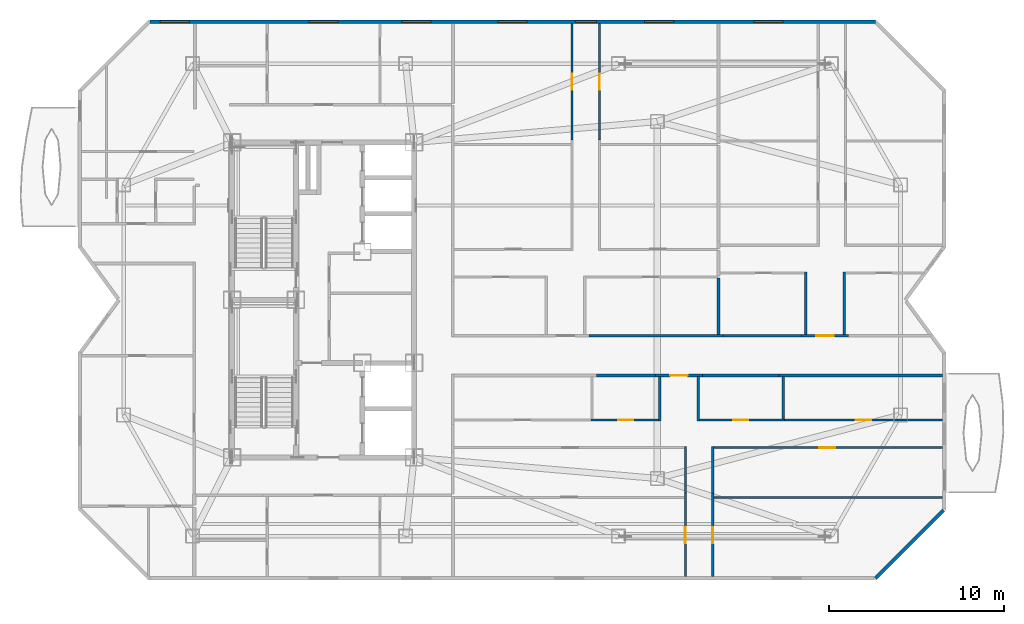
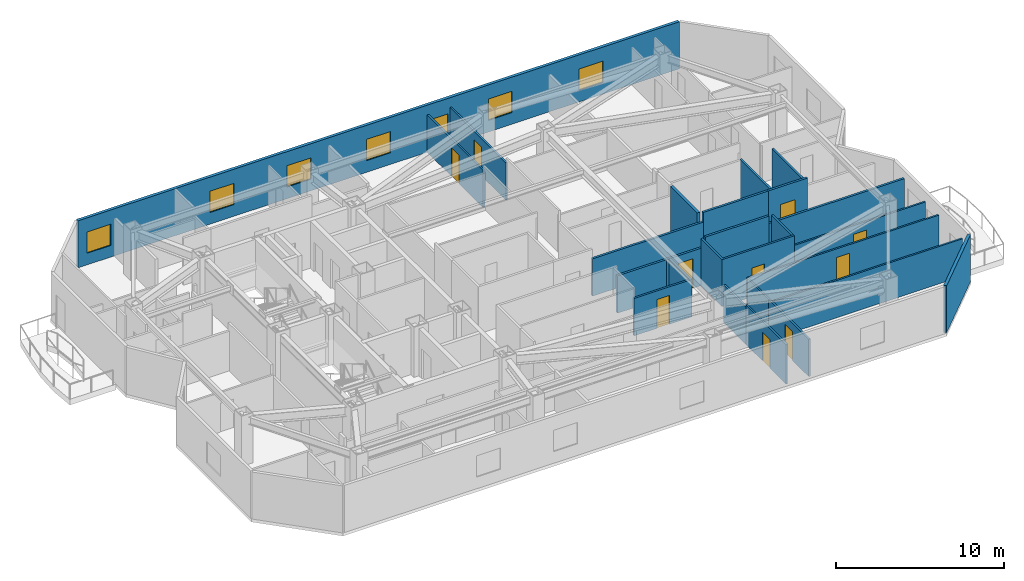
# One storey, part 7 of 11: 26 walls, 10 doors, 7 windows, 17 openings.
"""IFC4 building model written with IfcOpenShell, lengths in metres."""

from ifc_helpers import new_model, si_unit, direction, frame, frame_2d, origin, place, context, subcontext, project, spatial, rectangle, extrude, material, layer, layer_set, type_object, element, fill, save


model = new_model("IFC4")

# Units and contexts
model_context = context("Model", 3, precision=1e-05, world=origin(), true_north=direction((0.0, 1.0)))
body_context = subcontext(model_context, "Body", "Model", "MODEL_VIEW")
ifc_project = project(units=[si_unit("LENGTHUNIT", "METRE"), si_unit("AREAUNIT", "SQUARE_METRE"), si_unit("VOLUMEUNIT", "CUBIC_METRE"), si_unit("PLANEANGLEUNIT", "RADIAN"), si_unit("MASSUNIT", "GRAM", prefix="KILO")], contexts=[model_context])

# Site, building, storey
site_placement = place(None, origin())
site = spatial("IfcSite", under=ifc_project, at=site_placement, CompositionType="ELEMENT")
building_placement = place(site_placement, origin())
building = spatial("IfcBuilding", under=site, at=building_placement, Name="Khamvora Tower", CompositionType="ELEMENT")
storey_placement = place(building_placement, frame((0.0, 0.0, 239.10009765625)))
storey = spatial("IfcBuildingStorey", under=building, at=storey_placement, Name="L61", CompositionType="ELEMENT", Elevation=239.10009765625)

# Wall
ifc_material_1 = material(Name="Fire-Rated Drywall and Steel Stud", Category="steel")
ifc_layer_1 = layer(ifc_material_1, 0.14990234375)
ifc_layer_set_1 = layer_set([ifc_layer_1], Name="Fire-Rated Drywall and Steel Stud")
wall_type_1 = type_object("IfcWallType", Name="WAL-CORR-150", PredefinedType="STANDARD", material=ifc_layer_set_1)
wall_1_placement = place(storey_placement, frame((69.60791015625, 23.68505859375, 0.0), z_axis=(0.0, 0.0, 1.0), x_axis=(-1.0, 0.0, 0.0)))
element("IfcWall", 1, at=wall_1_placement, inside=storey, type_object=wall_type_1, Name="L61 interior partition wall 020", PredefinedType="STANDARD", context=body_context, shape_type="SweptSolid", body=[
    extrude(rectangle(XDim=9.35693359375, YDim=0.14990234375, at=frame_2d((4.678466796875, 0.0))), origin(), (0.0, 0.0, 1.0), 2.886962890625),
])

# Wall, opening, door
wall_2_placement = place(storey_placement, frame((55.884033203125, 23.68505859375, 0.0), z_axis=(0.0, 0.0, 1.0), x_axis=(-1.0, 0.0, 0.0)))
wall_2 = element("IfcWall", 2, at=wall_2_placement, inside=storey, type_object=wall_type_1, Name="L61 interior partition wall 021", PredefinedType="STANDARD", context=body_context, shape_type="SweptSolid", body=[
    extrude(rectangle(XDim=2.697998046875, YDim=0.14990234375, at=frame_2d((1.34912109375, 0.0))), origin(), (0.0, 0.0, 1.0), 2.724853515625),
])
opening_1_placement = place(wall_2_placement, frame((0.84912109375, 0.0, 0.0)))
opening_1 = element("IfcOpeningElement", 3, at=opening_1_placement, cuts=wall_2, Name="Opening D-U1", PredefinedType="OPENING", context=body_context, shape_type="SweptSolid", body=[
    extrude(rectangle(XDim=1.0, YDim=2.14990234375, at=frame_2d((0.5, 1.074951171875))), frame((0.0, 0.0849609375, 0.0), z_axis=(0.0, -1.0, 0.0), x_axis=(1.0, 0.0, 0.0)), (0.0, 0.0, 1.0), 0.169921875),
])
ifc_material_2 = material(Name="Powder-Coated Steel and Hardwood Leaf", Category="steel")
door_type_1 = type_object("IfcDoorType", Name="DOR-UNIT-1000", OperationType="NOTDEFINED", PredefinedType="DOOR", material=ifc_material_2)
door_1_placement = place(opening_1_placement, origin())
door_1 = element("IfcDoor", 4, at=door_1_placement, inside=storey, type_object=door_type_1, Name="L61 interior door COR-61EAH", OperationType="SINGLE_SWING_LEFT", OverallHeight=2.14990234375, OverallWidth=1.0, PredefinedType="DOOR", context=body_context, shape_type="SweptSolid", body=[
    extrude(rectangle(XDim=1.0, YDim=2.14990234375, at=frame_2d((0.5, 1.074951171875))), frame((0.0, 0.02490234375, 0.0), z_axis=(0.0, -1.0, 0.0), x_axis=(1.0, 0.0, 0.0)), (0.0, 0.0, 1.0), 0.050048828125),
])
fill(opening_1, door_1)

# Walls
wall_3_placement = place(storey_placement, frame((53.18603515625, 23.68505859375, 0.0), z_axis=(0.0, 0.0, 1.0), x_axis=(-1.0, 0.0, 0.0)))
element("IfcWall", 5, at=wall_3_placement, inside=storey, type_object=wall_type_1, Name="L61 interior partition wall 023", PredefinedType="STANDARD", context=body_context, shape_type="SweptSolid", body=[
    extrude(rectangle(XDim=3.366943359375, YDim=0.14990234375, at=frame_2d((1.68359375, 0.0))), origin(), (0.0, 0.0, 1.0), 2.724853515625),
])
wall_4_placement = place(storey_placement, frame((60.2509765625, 23.68505859375, 0.0), z_axis=(0.0, 0.0, 1.0), x_axis=(-1.0, 0.0, 0.0)))
element("IfcWall", 6, at=wall_4_placement, inside=storey, type_object=wall_type_1, Name="L61 interior partition wall 024", PredefinedType="STANDARD", context=body_context, shape_type="SweptSolid", body=[
    extrude(rectangle(XDim=4.366943359375, YDim=0.14990234375, at=frame_2d((2.18359375, 0.0))), origin(), (0.0, 0.0, 1.0), 3.429931640625),
])
wall_5_placement = place(storey_placement, frame((49.408935546875, 25.965087890625, 0.0), z_axis=(0.0, 0.0, 1.0), x_axis=(1.0, 0.0, 0.0)))
element("IfcWall", 7, at=wall_5_placement, inside=storey, type_object=wall_type_1, Name="L61 interior partition wall 030", PredefinedType="STANDARD", context=body_context, shape_type="SweptSolid", body=[
    extrude(rectangle(XDim=7.64599609375, YDim=0.14990234375, at=frame_2d((3.822998046875, 0.0))), origin(), (0.0, 0.0, 1.0), 2.724853515625),
])

# Wall, opening, door
wall_6_placement = place(storey_placement, frame((61.5400390625, 25.965087890625, 0.0), z_axis=(0.0, 0.0, 1.0), x_axis=(1.0, 0.0, 0.0)))
wall_6 = element("IfcWall", 8, at=wall_6_placement, inside=storey, type_object=wall_type_1, Name="L61 interior partition wall 033", PredefinedType="STANDARD", context=body_context, shape_type="SweptSolid", body=[
    extrude(rectangle(XDim=2.697998046875, YDim=0.14990234375, at=frame_2d((1.34912109375, 0.0))), origin(), (0.0, 0.0, 1.0), 3.429931640625),
])
opening_2_placement = place(wall_6_placement, frame((0.84912109375, 0.0, 0.0)))
opening_2 = element("IfcOpeningElement", 9, at=opening_2_placement, cuts=wall_6, Name="Opening D-U1", PredefinedType="OPENING", context=body_context, shape_type="SweptSolid", body=[
    extrude(rectangle(XDim=1.0, YDim=2.14990234375, at=frame_2d((0.5, 1.074951171875))), frame((0.0, 0.0849609375, 0.0), z_axis=(0.0, -1.0, 0.0), x_axis=(1.0, 0.0, 0.0)), (0.0, 0.0, 1.0), 0.169921875),
])
door_2_placement = place(opening_2_placement, origin())
door_2 = element("IfcDoor", 10, at=door_2_placement, inside=storey, type_object=door_type_1, Name="L61 interior door COR-61EB2H", OperationType="SINGLE_SWING_LEFT", OverallHeight=2.14990234375, OverallWidth=1.0, PredefinedType="DOOR", context=body_context, shape_type="SweptSolid", body=[
    extrude(rectangle(XDim=1.0, YDim=2.14990234375, at=frame_2d((0.5, 1.074951171875))), frame((0.0, 0.02490234375, 0.0), z_axis=(0.0, -1.0, 0.0), x_axis=(1.0, 0.0, 0.0)), (0.0, 0.0, 1.0), 0.050048828125),
])
fill(opening_2, door_2)

# Walls
wall_7_placement = place(storey_placement, frame((57.054931640625, 25.965087890625, 0.0), z_axis=(0.0, 0.0, 1.0), x_axis=(1.0, 0.0, 0.0)))
element("IfcWall", 11, at=wall_7_placement, inside=storey, type_object=wall_type_1, Name="L61 interior partition wall 035", PredefinedType="STANDARD", context=body_context, shape_type="SweptSolid", body=[
    extrude(rectangle(XDim=4.485107421875, YDim=0.14990234375, at=frame_2d((2.24267578125, 0.0))), origin(), (0.0, 0.0, 1.0), 3.429931640625),
])
ifc_material_3 = material(Name="Acoustic Double-Stud Fire Wall", Category="gypsum")
ifc_layer_2 = layer(ifc_material_3, 0.179931640625)
ifc_layer_set_2 = layer_set([ifc_layer_2], Name="Acoustic Double-Stud Fire Wall")
wall_type_2 = type_object("IfcWallType", Name="WAL-CORR-180", PredefinedType="STANDARD", material=ifc_layer_set_2)
wall_8_placement = place(storey_placement, frame((56.804931640625, 29.2451171875, 0.0), z_axis=(0.0, 0.0, 1.0), x_axis=(0.0, -1.0, 0.0)))
element("IfcWall", 12, at=wall_8_placement, inside=storey, type_object=wall_type_2, Name="L61 interior partition wall 088", PredefinedType="STANDARD", context=body_context, shape_type="SweptSolid", body=[
    extrude(rectangle(XDim=3.215087890625, YDim=0.179931640625, at=frame_2d((1.607421875, 0.0))), origin(), (0.0, 0.0, 1.0), 3.429931640625),
])

# Wall, openings, windows
ifc_material_4 = material(Name="Precast concrete C40/50", Category="concrete")
ifc_layer_3 = layer(ifc_material_4, 0.199951171875)
ifc_layer_set_3 = layer_set([ifc_layer_3], Name="Precast concrete C40/50")
wall_type_3 = type_object("IfcWallType", Name="WAL-EXT-200", PredefinedType="STANDARD", material=ifc_layer_set_3)
wall_9_placement = place(storey_placement, frame((24.302001953125, 43.89990234375, 0.0), z_axis=(0.0, 0.0, 1.0), x_axis=(1.0, 0.0, 0.0)))
wall_9 = element("IfcWall", 13, at=wall_9_placement, inside=storey, type_object=wall_type_3, Name="L61 exterior facade wall 07.1", PredefinedType="STANDARD", context=body_context, shape_type="SweptSolid", body=[
    extrude(rectangle(XDim=41.45703125, YDim=0.199951171875, at=frame_2d((20.728515625, 0.0))), origin(), (0.0, 0.0, 1.0), 3.429931640625),
])
opening_3_placement = place(wall_9_placement, frame((0.60400390625, 0.0, 0.85009765625)))
opening_3 = element("IfcOpeningElement", 14, at=opening_3_placement, cuts=wall_9, Name="Opening WN-06", PredefinedType="OPENING", context=body_context, shape_type="SweptSolid", body=[
    extrude(rectangle(XDim=1.64990234375, YDim=1.550048828125, at=frame_2d((0.824951171875, 0.77490234375))), frame((0.0, 0.10986328125, 0.0), z_axis=(0.0, -1.0, 0.0), x_axis=(1.0, 0.0, 0.0)), (0.0, 0.0, 1.0), 0.219970703125),
])
opening_4_placement = place(wall_9_placement, frame((9.097900390625, 0.0, 0.85009765625)))
opening_4 = element("IfcOpeningElement", 15, at=opening_4_placement, cuts=wall_9, Name="Opening WN-06", PredefinedType="OPENING", context=body_context, shape_type="SweptSolid", body=[
    extrude(rectangle(XDim=1.64990234375, YDim=1.550048828125, at=frame_2d((0.824951171875, 0.77490234375))), frame((0.0, 0.10986328125, 0.0), z_axis=(0.0, -1.0, 0.0), x_axis=(1.0, 0.0, 0.0)), (0.0, 0.0, 1.0), 0.219970703125),
])
opening_5_placement = place(wall_9_placement, frame((14.405029296875, 0.0, 0.85009765625)))
opening_5 = element("IfcOpeningElement", 16, at=opening_5_placement, cuts=wall_9, Name="Opening WN-06", PredefinedType="OPENING", context=body_context, shape_type="SweptSolid", body=[
    extrude(rectangle(XDim=1.64990234375, YDim=1.550048828125, at=frame_2d((0.824951171875, 0.77490234375))), frame((0.0, 0.10986328125, 0.0), z_axis=(0.0, -1.0, 0.0), x_axis=(1.0, 0.0, 0.0)), (0.0, 0.0, 1.0), 0.219970703125),
])
opening_6_placement = place(wall_9_placement, frame((24.30810546875, 0.0, 0.800048828125)))
opening_6 = element("IfcOpeningElement", 17, at=opening_6_placement, cuts=wall_9, Name="Opening WN-03", PredefinedType="OPENING", context=body_context, shape_type="SweptSolid", body=[
    extrude(rectangle(XDim=1.199951171875, YDim=1.5, at=frame_2d((0.60009765625, 0.75))), frame((0.0, 0.10986328125, 0.0), z_axis=(0.0, -1.0, 0.0), x_axis=(1.0, 0.0, 0.0)), (0.0, 0.0, 1.0), 0.219970703125),
])
opening_7_placement = place(wall_9_placement, frame((19.89306640625, 0.0, 0.85009765625)))
opening_7 = element("IfcOpeningElement", 18, at=opening_7_placement, cuts=wall_9, Name="Opening WN-06", PredefinedType="OPENING", context=body_context, shape_type="SweptSolid", body=[
    extrude(rectangle(XDim=1.64990234375, YDim=1.550048828125, at=frame_2d((0.824951171875, 0.77490234375))), frame((0.0, 0.10986328125, 0.0), z_axis=(0.0, -1.0, 0.0), x_axis=(1.0, 0.0, 0.0)), (0.0, 0.0, 1.0), 0.219970703125),
])
opening_8_placement = place(wall_9_placement, frame((28.27294921875, 0.0, 0.85009765625)))
opening_8 = element("IfcOpeningElement", 19, at=opening_8_placement, cuts=wall_9, Name="Opening WN-06", PredefinedType="OPENING", context=body_context, shape_type="SweptSolid", body=[
    extrude(rectangle(XDim=1.64990234375, YDim=1.550048828125, at=frame_2d((0.824951171875, 0.77490234375))), frame((0.0, 0.10986328125, 0.0), z_axis=(0.0, -1.0, 0.0), x_axis=(1.0, 0.0, 0.0)), (0.0, 0.0, 1.0), 0.219970703125),
])
opening_9_placement = place(wall_9_placement, frame((34.52294921875, 0.0, 0.85009765625)))
opening_9 = element("IfcOpeningElement", 20, at=opening_9_placement, cuts=wall_9, Name="Opening WN-06", PredefinedType="OPENING", context=body_context, shape_type="SweptSolid", body=[
    extrude(rectangle(XDim=1.64990234375, YDim=1.550048828125, at=frame_2d((0.824951171875, 0.77490234375))), frame((0.0, 0.10986328125, 0.0), z_axis=(0.0, -1.0, 0.0), x_axis=(1.0, 0.0, 0.0)), (0.0, 0.0, 1.0), 0.219970703125),
])
ifc_material_5 = material(Name="Low-E Laminated Double Glazing", Category="glass")
window_type_1 = type_object("IfcWindowType", Name="WIN-VIS-1200x1500", PartitioningType="SINGLE_PANEL", PredefinedType="WINDOW", material=ifc_material_5)
window_1_placement = place(opening_6_placement, origin())
window_1 = element("IfcWindow", 21, at=window_1_placement, inside=storey, type_object=window_type_1, Name="L61 vision window 07.1.04", OverallHeight=1.5, OverallWidth=1.199951171875, PartitioningType="SINGLE_PANEL", PredefinedType="WINDOW", context=body_context, shape_type="SweptSolid", body=[
    extrude(rectangle(XDim=1.199951171875, YDim=1.5, at=frame_2d((0.60009765625, 0.75))), frame((0.0, 0.030029296875, 0.0), z_axis=(0.0, -1.0, 0.0), x_axis=(1.0, 0.0, 0.0)), (0.0, 0.0, 1.0), 0.06005859375),
])
fill(opening_6, window_1)
window_type_2 = type_object("IfcWindowType", Name="WIN-VIS-1650x1550", PartitioningType="SINGLE_PANEL", PredefinedType="WINDOW", material=ifc_material_5)
window_2_placement = place(opening_3_placement, origin())
window_2 = element("IfcWindow", 22, at=window_2_placement, inside=storey, type_object=window_type_2, Name="L61 vision window 07.1.01", OverallHeight=1.550048828125, OverallWidth=1.64990234375, PartitioningType="SINGLE_PANEL", PredefinedType="WINDOW", context=body_context, shape_type="SweptSolid", body=[
    extrude(rectangle(XDim=1.64990234375, YDim=1.550048828125, at=frame_2d((0.824951171875, 0.77490234375))), frame((0.0, 0.030029296875, 0.0), z_axis=(0.0, -1.0, 0.0), x_axis=(1.0, 0.0, 0.0)), (0.0, 0.0, 1.0), 0.06005859375),
])
fill(opening_3, window_2)
window_3_placement = place(opening_4_placement, origin())
window_3 = element("IfcWindow", 23, at=window_3_placement, inside=storey, type_object=window_type_2, Name="L61 vision window 07.1.02", OverallHeight=1.550048828125, OverallWidth=1.64990234375, PartitioningType="SINGLE_PANEL", PredefinedType="WINDOW", context=body_context, shape_type="SweptSolid", body=[
    extrude(rectangle(XDim=1.64990234375, YDim=1.550048828125, at=frame_2d((0.824951171875, 0.77490234375))), frame((0.0, 0.030029296875, 0.0), z_axis=(0.0, -1.0, 0.0), x_axis=(1.0, 0.0, 0.0)), (0.0, 0.0, 1.0), 0.06005859375),
])
fill(opening_4, window_3)
window_4_placement = place(opening_5_placement, origin())
window_4 = element("IfcWindow", 24, at=window_4_placement, inside=storey, type_object=window_type_2, Name="L61 vision window 07.1.03", OverallHeight=1.550048828125, OverallWidth=1.64990234375, PartitioningType="SINGLE_PANEL", PredefinedType="WINDOW", context=body_context, shape_type="SweptSolid", body=[
    extrude(rectangle(XDim=1.64990234375, YDim=1.550048828125, at=frame_2d((0.824951171875, 0.77490234375))), frame((0.0, 0.030029296875, 0.0), z_axis=(0.0, -1.0, 0.0), x_axis=(1.0, 0.0, 0.0)), (0.0, 0.0, 1.0), 0.06005859375),
])
fill(opening_5, window_4)
window_5_placement = place(opening_7_placement, origin())
window_5 = element("IfcWindow", 25, at=window_5_placement, inside=storey, type_object=window_type_2, Name="L61 vision window 07.1.05", OverallHeight=1.550048828125, OverallWidth=1.64990234375, PartitioningType="SINGLE_PANEL", PredefinedType="WINDOW", context=body_context, shape_type="SweptSolid", body=[
    extrude(rectangle(XDim=1.64990234375, YDim=1.550048828125, at=frame_2d((0.824951171875, 0.77490234375))), frame((0.0, 0.030029296875, 0.0), z_axis=(0.0, -1.0, 0.0), x_axis=(1.0, 0.0, 0.0)), (0.0, 0.0, 1.0), 0.06005859375),
])
fill(opening_7, window_5)
window_6_placement = place(opening_8_placement, origin())
window_6 = element("IfcWindow", 26, at=window_6_placement, inside=storey, type_object=window_type_2, Name="L61 vision window 07.1.06", OverallHeight=1.550048828125, OverallWidth=1.64990234375, PartitioningType="SINGLE_PANEL", PredefinedType="WINDOW", context=body_context, shape_type="SweptSolid", body=[
    extrude(rectangle(XDim=1.64990234375, YDim=1.550048828125, at=frame_2d((0.824951171875, 0.77490234375))), frame((0.0, 0.030029296875, 0.0), z_axis=(0.0, -1.0, 0.0), x_axis=(1.0, 0.0, 0.0)), (0.0, 0.0, 1.0), 0.06005859375),
])
fill(opening_8, window_6)
window_7_placement = place(opening_9_placement, origin())
window_7 = element("IfcWindow", 27, at=window_7_placement, inside=storey, type_object=window_type_2, Name="L61 vision window 07.1.07", OverallHeight=1.550048828125, OverallWidth=1.64990234375, PartitioningType="SINGLE_PANEL", PredefinedType="WINDOW", context=body_context, shape_type="SweptSolid", body=[
    extrude(rectangle(XDim=1.64990234375, YDim=1.550048828125, at=frame_2d((0.824951171875, 0.77490234375))), frame((0.0, 0.030029296875, 0.0), z_axis=(0.0, -1.0, 0.0), x_axis=(1.0, 0.0, 0.0)), (0.0, 0.0, 1.0), 0.06005859375),
])
fill(opening_9, window_7)

# Wall
wall_10_placement = place(storey_placement, frame((69.655029296875, 15.99609375, 0.0), z_axis=(0.0, 0.0, 1.0), x_axis=(-0.707106781187, -0.707106781187, 0.0)))
element("IfcWall", 28, at=wall_10_placement, inside=storey, type_object=wall_type_3, Name="L61 exterior facade wall 13.1", PredefinedType="STANDARD", context=body_context, shape_type="SweptSolid", body=[
    extrude(rectangle(XDim=5.509765625, YDim=0.199951171875, at=frame_2d((2.7548828125, 0.0))), origin(), (0.0, 0.0, 1.0), 3.429931640625),
])

# Wall, opening, door
ifc_material_6 = material(Name="Gypsum Plasterboard Partition", Category="gypsum")
ifc_layer_4 = layer(ifc_material_6, 0.1201171875)
ifc_layer_set_4 = layer_set([ifc_layer_4], Name="Gypsum Plasterboard Partition")
wall_type_4 = type_object("IfcWallType", Name="WAL-PART-120", PredefinedType="PARTITIONING", material=ifc_layer_set_4)
wall_11_placement = place(storey_placement, frame((69.60791015625, 21.14306640625, 0.0), z_axis=(0.0, 0.0, 1.0), x_axis=(-1.0, 0.0, 0.0)))
wall_11 = element("IfcWall", 29, at=wall_11_placement, inside=storey, type_object=wall_type_4, Name="L61 interior partition wall 063", PredefinedType="PARTITIONING", context=body_context, shape_type="SweptSolid", body=[
    extrude(rectangle(XDim=9.04296875, YDim=0.1201171875, at=frame_2d((4.521484375, 0.0))), origin(), (0.0, 0.0, 1.0), 2.724853515625),
])
opening_10_placement = place(wall_11_placement, frame((4.071044921875, 0.0, 0.0)))
opening_10 = element("IfcOpeningElement", 30, at=opening_10_placement, cuts=wall_11, Name="Opening D-RM1", PredefinedType="OPENING", context=body_context, shape_type="SweptSolid", body=[
    extrude(rectangle(XDim=0.89990234375, YDim=2.10009765625, at=frame_2d((0.449951171875, 1.050048828125))), frame((0.0, 0.070068359375, 0.0), z_axis=(0.0, -1.0, 0.0), x_axis=(1.0, 0.0, 0.0)), (0.0, 0.0, 1.0), 0.14013671875),
])
door_type_2 = type_object("IfcDoorType", Name="DOR-ROOM-900", OperationType="NOTDEFINED", PredefinedType="DOOR", material=ifc_material_2)
door_3_placement = place(opening_10_placement, origin())
door_3 = element("IfcDoor", 31, at=door_3_placement, inside=storey, type_object=door_type_2, Name="L61 interior door 61EAW2-61EAH", OperationType="SINGLE_SWING_RIGHT", OverallHeight=2.10009765625, OverallWidth=0.89990234375, PredefinedType="DOOR", context=body_context, shape_type="SweptSolid", body=[
    extrude(rectangle(XDim=0.89990234375, YDim=2.10009765625, at=frame_2d((0.449951171875, 1.050048828125))), frame((0.0, 0.02490234375, 0.0), z_axis=(0.0, -1.0, 0.0), x_axis=(1.0, 0.0, 0.0)), (0.0, 0.0, 1.0), 0.050048828125),
])
fill(opening_10, door_3)

wall_12_placement = place(storey_placement, frame((54.89990234375, 12.19189453125, 0.0), z_axis=(0.0, 0.0, 1.0), x_axis=(0.0, 1.0, 0.0)))
wall_12 = element("IfcWall", 32, at=wall_12_placement, inside=storey, type_object=wall_type_4, Name="L61 interior partition wall 069", PredefinedType="PARTITIONING", context=body_context, shape_type="SweptSolid", body=[
    extrude(rectangle(XDim=4.778076171875, YDim=0.1201171875, at=frame_2d((2.38916015625, 0.0))), origin(), (0.0, 0.0, 1.0), 2.886962890625),
])
opening_11_placement = place(wall_12_placement, frame((1.91796875, 0.0, 0.0)))
opening_11 = element("IfcOpeningElement", 33, at=opening_11_placement, cuts=wall_12, Name="Opening D-RM1", PredefinedType="OPENING", context=body_context, shape_type="SweptSolid", body=[
    extrude(rectangle(XDim=0.89990234375, YDim=2.10009765625, at=frame_2d((0.449951171875, 1.050048828125))), frame((0.0, 0.070068359375, 0.0), z_axis=(0.0, -1.0, 0.0), x_axis=(1.0, 0.0, 0.0)), (0.0, 0.0, 1.0), 0.14013671875),
])
door_4_placement = place(opening_11_placement, origin())
door_4 = element("IfcDoor", 34, at=door_4_placement, inside=storey, type_object=door_type_2, Name="L61 interior door 61EAH-61EAR1", OperationType="SINGLE_SWING_LEFT", OverallHeight=2.10009765625, OverallWidth=0.89990234375, PredefinedType="DOOR", context=body_context, shape_type="SweptSolid", body=[
    extrude(rectangle(XDim=0.89990234375, YDim=2.10009765625, at=frame_2d((0.449951171875, 1.050048828125))), frame((0.0, 0.02490234375, 0.0), z_axis=(0.0, -1.0, 0.0), x_axis=(1.0, 0.0, 0.0)), (0.0, 0.0, 1.0), 0.050048828125),
])
fill(opening_11, door_4)

# Wall
wall_13_placement = place(storey_placement, frame((54.89990234375, 16.969970703125, 0.0), z_axis=(0.0, 0.0, 1.0), x_axis=(0.0, 1.0, 0.0)))
element("IfcWall", 35, at=wall_13_placement, inside=storey, type_object=wall_type_4, Name="L61 interior partition wall 070", PredefinedType="PARTITIONING", context=body_context, shape_type="SweptSolid", body=[
    extrude(rectangle(XDim=2.657958984375, YDim=0.1201171875, at=frame_2d((1.3291015625, 0.0))), origin(), (0.0, 0.0, 1.0), 2.724853515625),
])

# Wall, opening, door
wall_14_placement = place(storey_placement, frame((56.469970703125, 16.969970703125, 0.0), z_axis=(0.0, 0.0, 1.0), x_axis=(0.0, -1.0, 0.0)))
wall_14 = element("IfcWall", 36, at=wall_14_placement, inside=storey, type_object=wall_type_4, Name="L61 interior partition wall 072", PredefinedType="PARTITIONING", context=body_context, shape_type="SweptSolid", body=[
    extrude(rectangle(XDim=4.778076171875, YDim=0.1201171875, at=frame_2d((2.38916015625, 0.0))), origin(), (0.0, 0.0, 1.0), 2.724853515625),
])
opening_12_placement = place(wall_14_placement, frame((1.9599609375, 0.0, 0.0)))
opening_12 = element("IfcOpeningElement", 37, at=opening_12_placement, cuts=wall_14, Name="Opening D-RM1", PredefinedType="OPENING", context=body_context, shape_type="SweptSolid", body=[
    extrude(rectangle(XDim=0.89990234375, YDim=2.10009765625, at=frame_2d((0.449951171875, 1.050048828125))), frame((0.0, 0.070068359375, 0.0), z_axis=(0.0, -1.0, 0.0), x_axis=(1.0, 0.0, 0.0)), (0.0, 0.0, 1.0), 0.14013671875),
])
door_5_placement = place(opening_12_placement, origin())
door_5 = element("IfcDoor", 38, at=door_5_placement, inside=storey, type_object=door_type_2, Name="L61 interior door 61EAH-61EAR3", OperationType="SINGLE_SWING_LEFT", OverallHeight=2.10009765625, OverallWidth=0.89990234375, PredefinedType="DOOR", context=body_context, shape_type="SweptSolid", body=[
    extrude(rectangle(XDim=0.89990234375, YDim=2.10009765625, at=frame_2d((0.449951171875, 1.050048828125))), frame((0.0, 0.02490234375, 0.0), z_axis=(0.0, -1.0, 0.0), x_axis=(1.0, 0.0, 0.0)), (0.0, 0.0, 1.0), 0.050048828125),
])
fill(opening_12, door_5)

wall_15_placement = place(storey_placement, frame((69.60791015625, 19.56298828125, 0.0), z_axis=(0.0, 0.0, 1.0), x_axis=(-1.0, 0.0, 0.0)))
wall_15 = element("IfcWall", 39, at=wall_15_placement, inside=storey, type_object=wall_type_4, Name="L61 interior partition wall 073", PredefinedType="PARTITIONING", context=body_context, shape_type="SweptSolid", body=[
    extrude(rectangle(XDim=13.202880859375, YDim=0.1201171875, at=frame_2d((6.6015625, 0.0))), origin(), (0.0, 0.0, 1.0), 2.724853515625),
])
opening_13_placement = place(wall_15_placement, frame((6.15087890625, 0.0, 0.0)))
opening_13 = element("IfcOpeningElement", 40, at=opening_13_placement, cuts=wall_15, Name="Opening D-RM1", PredefinedType="OPENING", context=body_context, shape_type="SweptSolid", body=[
    extrude(rectangle(XDim=0.89990234375, YDim=2.10009765625, at=frame_2d((0.449951171875, 1.050048828125))), frame((0.0, 0.070068359375, 0.0), z_axis=(0.0, -1.0, 0.0), x_axis=(1.0, 0.0, 0.0)), (0.0, 0.0, 1.0), 0.14013671875),
])
door_6_placement = place(opening_13_placement, origin())
door_6 = element("IfcDoor", 41, at=door_6_placement, inside=storey, type_object=door_type_2, Name="L61 interior door 61EAH-61EAR4", OperationType="SINGLE_SWING_RIGHT", OverallHeight=2.10009765625, OverallWidth=0.89990234375, PredefinedType="DOOR", context=body_context, shape_type="SweptSolid", body=[
    extrude(rectangle(XDim=0.89990234375, YDim=2.10009765625, at=frame_2d((0.449951171875, 1.050048828125))), frame((0.0, 0.02490234375, 0.0), z_axis=(0.0, -1.0, 0.0), x_axis=(1.0, 0.0, 0.0)), (0.0, 0.0, 1.0), 0.050048828125),
])
fill(opening_13, door_6)

# Walls
wall_16_placement = place(storey_placement, frame((56.469970703125, 19.6279296875, 0.0), z_axis=(0.0, 0.0, 1.0), x_axis=(0.0, -1.0, 0.0)))
element("IfcWall", 42, at=wall_16_placement, inside=storey, type_object=wall_type_4, Name="L61 interior partition wall 074", PredefinedType="PARTITIONING", context=body_context, shape_type="SweptSolid", body=[
    extrude(rectangle(XDim=2.657958984375, YDim=0.1201171875, at=frame_2d((1.3291015625, 0.0))), origin(), (0.0, 0.0, 1.0), 2.724853515625),
])
wall_17_placement = place(storey_placement, frame((56.52392578125, 16.720947265625, 0.0), z_axis=(0.0, 0.0, 1.0), x_axis=(1.0, 0.0, 0.0)))
element("IfcWall", 43, at=wall_17_placement, inside=storey, type_object=wall_type_4, Name="L61 interior partition wall 076", PredefinedType="PARTITIONING", context=body_context, shape_type="SweptSolid", body=[
    extrude(rectangle(XDim=13.083984375, YDim=0.1201171875, at=frame_2d((6.5419921875, 0.0))), origin(), (0.0, 0.0, 1.0), 2.724853515625),
])

# Wall, opening, door
wall_18_placement = place(storey_placement, frame((48.425048828125, 37.136962890625, 0.0), z_axis=(0.0, 0.0, 1.0), x_axis=(0.0, 1.0, 0.0)))
wall_18 = element("IfcWall", 44, at=wall_18_placement, inside=storey, type_object=wall_type_4, Name="L61 interior partition wall 083", PredefinedType="PARTITIONING", context=body_context, shape_type="SweptSolid", body=[
    extrude(rectangle(XDim=6.671142578125, YDim=0.1201171875, at=frame_2d((3.33544921875, 0.0))), origin(), (0.0, 0.0, 1.0), 2.724853515625),
])
opening_14_placement = place(wall_18_placement, frame((2.885009765625, 0.0, 0.0)))
opening_14 = element("IfcOpeningElement", 45, at=opening_14_placement, cuts=wall_18, Name="Opening D-RM1", PredefinedType="OPENING", context=body_context, shape_type="SweptSolid", body=[
    extrude(rectangle(XDim=0.89990234375, YDim=2.10009765625, at=frame_2d((0.449951171875, 1.050048828125))), frame((0.0, 0.070068359375, 0.0), z_axis=(0.0, -1.0, 0.0), x_axis=(1.0, 0.0, 0.0)), (0.0, 0.0, 1.0), 0.14013671875),
])
door_7_placement = place(opening_14_placement, origin())
door_7 = element("IfcDoor", 46, at=door_7_placement, inside=storey, type_object=door_type_2, Name="L61 interior door 61EB1H-61EB1R2", OperationType="SINGLE_SWING_LEFT", OverallHeight=2.10009765625, OverallWidth=0.89990234375, PredefinedType="DOOR", context=body_context, shape_type="SweptSolid", body=[
    extrude(rectangle(XDim=0.89990234375, YDim=2.10009765625, at=frame_2d((0.449951171875, 1.050048828125))), frame((0.0, 0.02490234375, 0.0), z_axis=(0.0, -1.0, 0.0), x_axis=(1.0, 0.0, 0.0)), (0.0, 0.0, 1.0), 0.050048828125),
])
fill(opening_14, door_7)

wall_19_placement = place(storey_placement, frame((49.9951171875, 43.80810546875, 0.0), z_axis=(0.0, 0.0, 1.0), x_axis=(0.0, -1.0, 0.0)))
wall_19 = element("IfcWall", 47, at=wall_19_placement, inside=storey, type_object=wall_type_4, Name="L61 interior partition wall 086", PredefinedType="PARTITIONING", context=body_context, shape_type="SweptSolid", body=[
    extrude(rectangle(XDim=6.671142578125, YDim=0.1201171875, at=frame_2d((3.33544921875, 0.0))), origin(), (0.0, 0.0, 1.0), 2.724853515625),
])
opening_15_placement = place(wall_19_placement, frame((2.885009765625, 0.0, 0.0)))
opening_15 = element("IfcOpeningElement", 48, at=opening_15_placement, cuts=wall_19, Name="Opening D-RM1", PredefinedType="OPENING", context=body_context, shape_type="SweptSolid", body=[
    extrude(rectangle(XDim=0.89990234375, YDim=2.10009765625, at=frame_2d((0.449951171875, 1.050048828125))), frame((0.0, 0.070068359375, 0.0), z_axis=(0.0, -1.0, 0.0), x_axis=(1.0, 0.0, 0.0)), (0.0, 0.0, 1.0), 0.14013671875),
])
door_8_placement = place(opening_15_placement, origin())
door_8 = element("IfcDoor", 49, at=door_8_placement, inside=storey, type_object=door_type_2, Name="L61 interior door 61EB1H-61EB1R4", OperationType="SINGLE_SWING_RIGHT", OverallHeight=2.10009765625, OverallWidth=0.89990234375, PredefinedType="DOOR", context=body_context, shape_type="SweptSolid", body=[
    extrude(rectangle(XDim=0.89990234375, YDim=2.10009765625, at=frame_2d((0.449951171875, 1.050048828125))), frame((0.0, 0.02490234375, 0.0), z_axis=(0.0, -1.0, 0.0), x_axis=(1.0, 0.0, 0.0)), (0.0, 0.0, 1.0), 0.050048828125),
])
fill(opening_15, door_8)

# Wall
ifc_material_7 = material(Name="Moisture-Resistant Plasterboard Partition", Category="gypsum")
ifc_layer_5 = layer(ifc_material_7, 0.135009765625)
ifc_layer_set_5 = layer_set([ifc_layer_5], Name="Moisture-Resistant Plasterboard Partition")
wall_type_5 = type_object("IfcWallType", Name="WAL-WET-135", PredefinedType="PARTITIONING", material=ifc_layer_set_5)
wall_20_placement = place(storey_placement, frame((60.5, 21.2080078125, 0.0), z_axis=(0.0, 0.0, 1.0), x_axis=(0.0, 1.0, 0.0)))
element("IfcWall", 50, at=wall_20_placement, inside=storey, type_object=wall_type_5, Name="L61 interior partition wall 064", PredefinedType="PARTITIONING", context=body_context, shape_type="SweptSolid", body=[
    extrude(rectangle(XDim=2.409912109375, YDim=0.135009765625, at=frame_2d((1.205078125, 0.0))), origin(), (0.0, 0.0, 1.0), 3.429931640625),
])

# Wall, opening, door
wall_21_placement = place(storey_placement, frame((49.5048828125, 21.14306640625, 0.0), z_axis=(0.0, 0.0, 1.0), x_axis=(1.0, 0.0, 0.0)))
wall_21 = element("IfcWall", 51, at=wall_21_placement, inside=storey, type_object=wall_type_5, Name="L61 interior partition wall 065", PredefinedType="PARTITIONING", context=body_context, shape_type="SweptSolid", body=[
    extrude(rectangle(XDim=3.9951171875, YDim=0.135009765625, at=frame_2d((1.99755859375, 0.0))), origin(), (0.0, 0.0, 1.0), 2.724853515625),
])
opening_16_placement = place(wall_21_placement, frame((1.572998046875, 0.0, 0.0)))
opening_16 = element("IfcOpeningElement", 52, at=opening_16_placement, cuts=wall_21, Name="Opening D-WC1", PredefinedType="OPENING", context=body_context, shape_type="SweptSolid", body=[
    extrude(rectangle(XDim=0.85009765625, YDim=2.10009765625, at=frame_2d((0.425048828125, 1.050048828125))), frame((0.0, 0.077392578125, 0.0), z_axis=(0.0, -1.0, 0.0), x_axis=(1.0, 0.0, 0.0)), (0.0, 0.0, 1.0), 0.155029296875),
])
door_type_3 = type_object("IfcDoorType", Name="DOR-WET-850", OperationType="NOTDEFINED", PredefinedType="DOOR", material=ifc_material_2)
door_9_placement = place(opening_16_placement, origin())
door_9 = element("IfcDoor", 53, at=door_9_placement, inside=storey, type_object=door_type_3, Name="L61 interior door 61EAH-61EAB", OperationType="SINGLE_SWING_LEFT", OverallHeight=2.10009765625, OverallWidth=0.85009765625, PredefinedType="DOOR", context=body_context, shape_type="SweptSolid", body=[
    extrude(rectangle(XDim=0.85009765625, YDim=2.10009765625, at=frame_2d((0.425048828125, 1.050048828125))), frame((0.0, 0.02490234375, 0.0), z_axis=(0.0, -1.0, 0.0), x_axis=(1.0, 0.0, 0.0)), (0.0, 0.0, 1.0), 0.050048828125),
])
fill(opening_16, door_9)

# Walls
wall_22_placement = place(storey_placement, frame((53.43505859375, 21.077880859375, 0.0), z_axis=(0.0, 0.0, 1.0), x_axis=(0.0, 1.0, 0.0)))
element("IfcWall", 54, at=wall_22_placement, inside=storey, type_object=wall_type_5, Name="L61 interior partition wall 066", PredefinedType="PARTITIONING", context=body_context, shape_type="SweptSolid", body=[
    extrude(rectangle(XDim=2.5400390625, YDim=0.135009765625, at=frame_2d((1.27001953125, 0.0))), origin(), (0.0, 0.0, 1.0), 2.724853515625),
])
wall_23_placement = place(storey_placement, frame((55.635009765625, 23.617919921875, 0.0), z_axis=(0.0, 0.0, 1.0), x_axis=(0.0, -1.0, 0.0)))
element("IfcWall", 55, at=wall_23_placement, inside=storey, type_object=wall_type_5, Name="L61 interior partition wall 067", PredefinedType="PARTITIONING", context=body_context, shape_type="SweptSolid", body=[
    extrude(rectangle(XDim=2.5400390625, YDim=0.135009765625, at=frame_2d((1.27001953125, 0.0))), origin(), (0.0, 0.0, 1.0), 3.429931640625),
])

# Wall, opening, door
wall_24_placement = place(storey_placement, frame((55.570068359375, 21.14306640625, 0.0), z_axis=(0.0, 0.0, 1.0), x_axis=(1.0, 0.0, 0.0)))
wall_24 = element("IfcWall", 56, at=wall_24_placement, inside=storey, type_object=wall_type_5, Name="L61 interior partition wall 068", PredefinedType="PARTITIONING", context=body_context, shape_type="SweptSolid", body=[
    extrude(rectangle(XDim=4.994873046875, YDim=0.135009765625, at=frame_2d((2.49755859375, 0.0))), origin(), (0.0, 0.0, 1.0), 3.429931640625),
])
opening_17_placement = place(wall_24_placement, frame((2.072998046875, 0.0, 0.0)))
opening_17 = element("IfcOpeningElement", 57, at=opening_17_placement, cuts=wall_24, Name="Opening D-RM2", PredefinedType="OPENING", context=body_context, shape_type="SweptSolid", body=[
    extrude(rectangle(XDim=0.85009765625, YDim=2.10009765625, at=frame_2d((0.425048828125, 1.050048828125))), frame((0.0, 0.077392578125, 0.0), z_axis=(0.0, -1.0, 0.0), x_axis=(1.0, 0.0, 0.0)), (0.0, 0.0, 1.0), 0.155029296875),
])
door_type_4 = type_object("IfcDoorType", Name="DOR-ROOM-850", OperationType="NOTDEFINED", PredefinedType="DOOR", material=ifc_material_2)
door_10_placement = place(opening_17_placement, origin())
door_10 = element("IfcDoor", 58, at=door_10_placement, inside=storey, type_object=door_type_4, Name="L61 interior door 61EAH-61EAK", OperationType="SINGLE_SWING_RIGHT", OverallHeight=2.10009765625, OverallWidth=0.85009765625, PredefinedType="DOOR", context=body_context, shape_type="SweptSolid", body=[
    extrude(rectangle(XDim=0.85009765625, YDim=2.10009765625, at=frame_2d((0.425048828125, 1.050048828125))), frame((0.0, 0.02490234375, 0.0), z_axis=(0.0, -1.0, 0.0), x_axis=(1.0, 0.0, 0.0)), (0.0, 0.0, 1.0), 0.050048828125),
])
fill(opening_17, door_10)

# Walls
for number, where, z_axis, x_axis, name in (
    (59, (63.989013671875, 29.610107421875, 0.0), (0.0, 0.0, 1.0), (0.0, -1.0, 0.0), "L61 interior partition wall 095"),
    (60, (61.7890625, 26.030029296875, 0.0), (0.0, 0.0, 1.0), (0.0, 1.0, 0.0), "L61 interior partition wall 097"),
):
    element("IfcWall", number, at=place(storey_placement, frame(where, z_axis=z_axis, x_axis=x_axis)), inside=storey, type_object=wall_type_5, Name=name, PredefinedType="PARTITIONING", context=body_context, shape_type="SweptSolid", body=[
        extrude(rectangle(XDim=3.580078125, YDim=0.135009765625, at=frame_2d((1.7900390625, 0.0))), origin(), (0.0, 0.0, 1.0), 3.429931640625),
    ])

save(model, "model.ifc")
